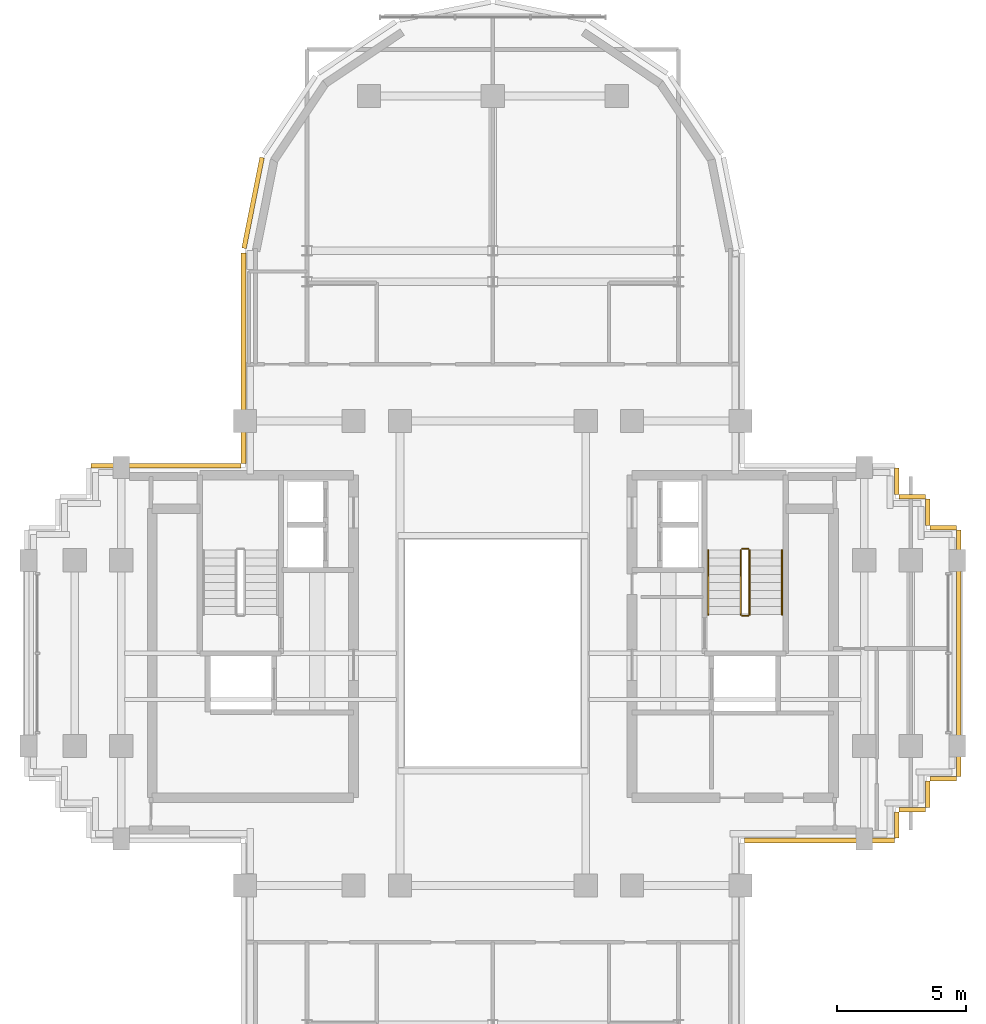
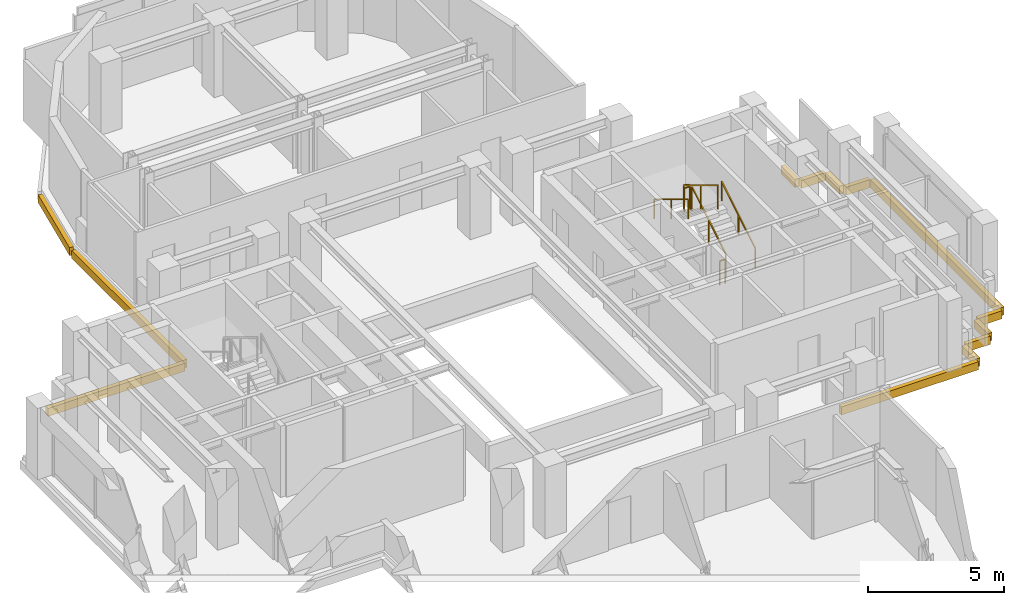
# One storey, part 10 of 11: 13 coverings, 6 railings.
"""IFC4 building model written with IfcOpenShell, lengths in metres."""

import ifcopenshell
import ifcopenshell.guid

model = None  # the IFC model being written
_history = None  # IfcOwnerHistory: only IFC2X3 demands one
_inside = {}  # id of a spatial element -> (the spatial element, [elements in it])
_under = {}  # id of a project, library or spatial element -> (it, [spatial elements below it])
_declared = {}  # id of a project -> (the project, [libraries it declares])
_typed = {}  # id of a type object -> (the type object, [elements of that type])
_made_of = {}  # id of a material, layer set ... -> (it, [elements and type objects made of it])


def new_model(schema):
    """Start an empty IFC model of exactly this schema.

    Asked for "IFC4X3", IfcOpenShell would pick the latest addendum, in which some entities
    have other attributes; the version numbers below select the first issue.
    IFC2X3 requires an IfcOwnerHistory on every rooted entity: one is made here for all.
    """
    global model, _history
    if schema == "IFC4X3":
        model = ifcopenshell.file(schema_version=(4, 3, 0, 0))
    else:
        model = ifcopenshell.file(schema=schema)
    _inside.clear()
    _under.clear()
    _declared.clear()
    _typed.clear()
    _made_of.clear()
    _history = None
    if model.schema == "IFC2X3":
        org = make("IfcOrganization", Name="unknown")
        user = make(
            "IfcPersonAndOrganization",
            ThePerson=make("IfcPerson", FamilyName="unknown"),
            TheOrganization=org,
        )
        app = make(
            "IfcApplication",
            ApplicationDeveloper=org,
            Version="unknown",
            ApplicationFullName="unknown",
            ApplicationIdentifier="unknown",
        )
        _history = make(
            "IfcOwnerHistory",
            OwningUser=user,
            OwningApplication=app,
            ChangeAction="ADDED",
            CreationDate=0,
        )
    return model


def make(cls, **values):
    """One entity of the class cls with the attributes given. An attribute that is None is left unset."""
    return model.create_entity(
        cls, **{name: value for name, value in values.items() if value is not None}
    )


def rooted(cls, **values):
    """An entity with a GlobalId (a new one), such as an element, a storey or a relation."""
    return make(cls, GlobalId=ifcopenshell.guid.new(), OwnerHistory=_history, **values)


def si_unit(unit_type, name, prefix=None):
    """IfcSIUnit, for example si_unit("LENGTHUNIT", "METRE", prefix="MILLI")."""
    return make("IfcSIUnit", UnitType=unit_type, Prefix=prefix, Name=name)


def assignment(units):
    """IfcUnitAssignment: the units of a project."""
    return None if units is None else make("IfcUnitAssignment", Units=units)


def point(xyz):
    """IfcCartesianPoint."""
    return None if xyz is None else make("IfcCartesianPoint", Coordinates=xyz)


def direction(xyz):
    """IfcDirection."""
    return None if xyz is None else make("IfcDirection", DirectionRatios=xyz)


def frame(location, z_axis=None, x_axis=None):
    """IfcAxis2Placement3D, a coordinate frame: its origin and axes. An axis left out is left unset."""
    return make(
        "IfcAxis2Placement3D",
        Location=point(location),
        Axis=direction(z_axis),
        RefDirection=direction(x_axis),
    )


def frame_2d(location, x_axis=None):
    """IfcAxis2Placement2D, a coordinate frame in the plane: its origin and x axis."""
    return make(
        "IfcAxis2Placement2D", Location=point(location), RefDirection=direction(x_axis)
    )


def origin():
    """The frame at (0, 0, 0) with its axes left unset."""
    return frame((0.0, 0.0, 0.0))


def origin_2d():
    """The frame at (0, 0) in the plane with its x axis left unset."""
    return frame_2d((0.0, 0.0))


def place(relative_to, where):
    """IfcLocalPlacement: puts the frame where relative to a parent placement (None: the world)."""
    return make(
        "IfcLocalPlacement", PlacementRelTo=relative_to, RelativePlacement=where
    )


def context(
    kind, dimensions, precision=None, world=None, true_north=None, identifier=None
):
    """IfcGeometricRepresentationContext, for example the 3D "Model" context."""
    return make(
        "IfcGeometricRepresentationContext",
        ContextIdentifier=identifier,
        ContextType=kind,
        CoordinateSpaceDimension=dimensions,
        Precision=precision,
        WorldCoordinateSystem=world,
        TrueNorth=true_north,
    )


def subcontext(parent, identifier, kind, view, scale=None):
    """IfcGeometricRepresentationSubContext, for example "Body" below "Model"."""
    return make(
        "IfcGeometricRepresentationSubContext",
        ContextIdentifier=identifier,
        ContextType=kind,
        ParentContext=parent,
        TargetScale=scale,
        TargetView=view,
    )


def project(units=None, contexts=None):
    """IfcProject with its units and contexts."""
    return rooted(
        "IfcProject",
        Name="project",
        RepresentationContexts=contexts,
        UnitsInContext=assignment(units),
    )


def spatial(cls, under=None, at=None, **own):
    """A site, building, storey or space (cls), placed at a placement, below another one or the project."""
    s = rooted(cls, ObjectPlacement=at, **own)
    if under is not None:
        _under.setdefault(under.id(), (under, []))[1].append(s)
    return s


def profile(cls, at=None, kind="AREA", **sizes):
    """A parametric profile (cls). Its sizes go by their IFC names, for example OverallWidth=200.0."""
    return make(cls, ProfileType=kind, Position=at, **sizes)


def rectangle(**sizes):
    """IfcRectangleProfileDef."""
    return profile("IfcRectangleProfileDef", **sizes)


def extrude(swept, where, along, depth):
    """IfcExtrudedAreaSolid: the profile swept, set in the frame where, extruded along a direction by depth."""
    return make(
        "IfcExtrudedAreaSolid",
        SweptArea=swept,
        Position=where,
        ExtrudedDirection=direction(along),
        Depth=depth,
    )


def shape(context_of_items, identifier, shape_type, items):
    """IfcShapeRepresentation: the items that make up one representation, for example the "Body"."""
    return make(
        "IfcShapeRepresentation",
        ContextOfItems=context_of_items,
        RepresentationIdentifier=identifier,
        RepresentationType=shape_type,
        Items=items,
    )


def source(mapping_origin, context_of_items, identifier, shape_type, items):
    """IfcRepresentationMap: a shape defined once, which mapped items show again and again."""
    return make(
        "IfcRepresentationMap",
        MappingOrigin=mapping_origin,
        MappedRepresentation=shape(context_of_items, identifier, shape_type, items),
    )


def transform(
    local_origin,
    x_axis=None,
    y_axis=None,
    z_axis=None,
    scale=None,
    scale2=None,
    scale3=None,
    uniform=True,
):
    """IfcCartesianTransformationOperator3D, or its non-uniform kind. x_axis, y_axis, z_axis: its Axis1, 2, 3."""
    if uniform:
        return make(
            "IfcCartesianTransformationOperator3D",
            Axis1=direction(x_axis),
            Axis2=direction(y_axis),
            LocalOrigin=point(local_origin),
            Scale=scale,
            Axis3=direction(z_axis),
        )
    return make(
        "IfcCartesianTransformationOperator3DnonUniform",
        Axis1=direction(x_axis),
        Axis2=direction(y_axis),
        LocalOrigin=point(local_origin),
        Scale=scale,
        Axis3=direction(z_axis),
        Scale2=scale2,
        Scale3=scale3,
    )


def mapped(mapping_source, mapping_target):
    """IfcMappedItem: shows the shape of a source again, moved by a transform."""
    return make(
        "IfcMappedItem", MappingSource=mapping_source, MappingTarget=mapping_target
    )


def material(Name=None, Category=None):
    """IfcMaterial."""
    return make("IfcMaterial", Name=Name, Category=Category)


def layer(
    of_material, thickness, ventilated=None, Name=None, Category=None, Priority=None
):
    """IfcMaterialLayer: one layer of a wall or slab, of a material (None: an air gap)."""
    return make(
        "IfcMaterialLayer",
        Material=of_material,
        LayerThickness=thickness,
        IsVentilated=ventilated,
        Name=Name,
        Category=Category,
        Priority=Priority,
    )


def layer_set(layers, Name=None):
    """IfcMaterialLayerSet."""
    return make("IfcMaterialLayerSet", MaterialLayers=layers, LayerSetName=Name)


def made_of(thing, what):
    """Note that an element or type object is made of a material, layer set ...; save() writes the relation."""
    if what is not None:
        _made_of.setdefault(what.id(), (what, []))[1].append(thing)
    return thing


def type_object(cls, material=None, **own):
    """A type object (cls), such as IfcWallType, which elements share."""
    return made_of(rooted(cls, **own), material)


def element(
    cls,
    number,
    at=None,
    inside=None,
    cuts=None,
    type_object=None,
    material=None,
    context=None,
    identifier="Body",
    shape_type=None,
    held_by="IfcProductDefinitionShape",
    body=None,
    shapes=None,
    **own,
):
    """One element of the class cls, such as IfcWall. Its Tag is "e" and its number.

    at: its placement. inside: the storey or other place that contains it. cuts: it is an
    opening in that element (IfcRelVoidsElement). A single representation is given by context,
    identifier, shape_type and body (its items); several are given by shapes. held_by: the class
    of the entity that holds the representations. save() writes the other relations.
    """
    e = rooted(cls, Tag="e%d" % number, ObjectPlacement=at, **own)
    if body is not None:
        shapes = [shape(context, identifier, shape_type, body)]
    if shapes is not None:
        e.Representation = make(held_by, Representations=shapes)
    if inside is not None:
        _inside.setdefault(inside.id(), (inside, []))[1].append(e)
    if cuts is not None:
        rooted(
            "IfcRelVoidsElement", RelatingBuildingElement=cuts, RelatedOpeningElement=e
        )
    if type_object is not None:
        _typed.setdefault(type_object.id(), (type_object, []))[1].append(e)
    return made_of(e, material)


def aggregate(whole, parts):
    """IfcRelAggregates: a whole, such as a stair, and the parts it consists of."""
    return rooted("IfcRelAggregates", RelatingObject=whole, RelatedObjects=parts)


def save(model, path):
    """Write the relations noted so far, then the file.

    IfcRelAggregates (storeys below a building ...), IfcRelContainedInSpatialStructure (elements
    in a storey), IfcRelDefinesByType, IfcRelAssociatesMaterial and IfcRelDeclares: one each for
    every whole, place, type object, material and project.
    """
    for whole, parts in _under.values():
        aggregate(whole, parts)
    for where, things in _inside.values():
        rooted(
            "IfcRelContainedInSpatialStructure",
            RelatedElements=things,
            RelatingStructure=where,
        )
    for kind, things in _typed.values():
        rooted("IfcRelDefinesByType", RelatedObjects=things, RelatingType=kind)
    for what, things in _made_of.values():
        rooted("IfcRelAssociatesMaterial", RelatedObjects=things, RelatingMaterial=what)
    for by, libraries in _declared.values():
        rooted("IfcRelDeclares", RelatingContext=by, RelatedDefinitions=libraries)
    model.write(path)


model = new_model("IFC4")

# Units and contexts
model_context = context("Model", 3, precision=1e-05, world=origin(), true_north=direction((0.0, 1.0)))
body_context = subcontext(model_context, "Body", "Model", "MODEL_VIEW")
ifc_project = project(units=[si_unit("LENGTHUNIT", "METRE"), si_unit("AREAUNIT", "SQUARE_METRE"), si_unit("VOLUMEUNIT", "CUBIC_METRE"), si_unit("PLANEANGLEUNIT", "RADIAN"), si_unit("MASSUNIT", "GRAM", prefix="KILO")], contexts=[model_context])

# Site, building, storey
site_placement = place(None, origin())
site = spatial("IfcSite", under=ifc_project, at=site_placement, CompositionType="ELEMENT")
building_placement = place(site_placement, origin())
building = spatial("IfcBuilding", under=site, at=building_placement, Name="Keilestroom Media Tower", CompositionType="ELEMENT")
storey_placement = place(building_placement, frame((0.0, 0.0, 201.199951171875)))
storey = spatial("IfcBuildingStorey", under=building, at=storey_placement, Name="L55", CompositionType="ELEMENT", Elevation=201.199951171875)

# Railings
ifc_material_1 = material(Name="Brushed Stainless Steel 1.4301", Category="steel")
railing_type_1 = type_object("IfcRailingType", Name="Stair-Pitch-Handrail-920", PredefinedType="HANDRAIL", material=ifc_material_1)
railing_1_placement = place(storey_placement, frame((11.2099609375, 1.5, 0.18896484375)))
element("IfcRailing", 1, at=railing_1_placement, inside=storey, type_object=railing_type_1, Name="L55 ST-2 stair handrail 1", PredefinedType="HANDRAIL", context=body_context, shape_type="SweptSolid", body=[
    extrude(rectangle(XDim=0.048095703125, YDim=0.048095703125, at=origin_2d()), frame((0.0, 0.0, 0.8759765625), z_axis=(0.0, 0.855470815493, 0.517851024754), x_axis=(-1.0, 0.0, 0.0)), (0.0, 0.0, 1.0), 2.917724609375),
    extrude(rectangle(XDim=0.0419921875, YDim=0.0419921875, at=origin_2d()), origin(), (0.0, 0.0, 1.0), 0.84375),
    extrude(rectangle(XDim=0.0419921875, YDim=0.0419921875, at=origin_2d()), frame((0.0, 1.248046875, 0.75537109375)), (0.0, 0.0, 1.0), 0.84375),
    extrude(rectangle(XDim=0.0419921875, YDim=0.0419921875, at=origin_2d()), frame((0.0, 2.49609375, 1.510986328125)), (0.0, 0.0, 1.0), 0.84375),
])
railing_2_placement = place(storey_placement, frame((8.35009765625, 3.99609375, 1.888916015625)))
element("IfcRailing", 2, at=railing_2_placement, inside=storey, type_object=railing_type_1, Name="L55 ST-2 stair handrail 2", PredefinedType="HANDRAIL", context=body_context, shape_type="SweptSolid", body=[
    extrude(rectangle(XDim=0.048095703125, YDim=0.048095703125, at=origin_2d()), frame((0.0, 0.0, 0.8759765625), z_axis=(0.0, -0.855433747314, 0.517912255074), x_axis=(1.0, 0.0, 0.0)), (0.0, 0.0, 1.0), 2.91796875),
    extrude(rectangle(XDim=0.0419921875, YDim=0.0419921875, at=origin_2d()), origin(), (0.0, 0.0, 1.0), 0.84375),
    extrude(rectangle(XDim=0.0419921875, YDim=0.0419921875, at=origin_2d()), frame((0.0, -1.248046875, 0.755615234375)), (0.0, 0.0, 1.0), 0.84375),
    extrude(rectangle(XDim=0.0419921875, YDim=0.0419921875, at=origin_2d()), frame((0.0, -2.49609375, 1.51123046875)), (0.0, 0.0, 1.0), 0.84375),
])
ifc_material_2 = material(Name="Painted Steel Balustrade", Category="steel")
railing_type_2 = type_object("IfcRailingType", Name="Stair-Well-And-Landing-Guard-1100", PredefinedType="GUARDRAIL", material=ifc_material_2)
railing_3_placement = place(storey_placement, frame((9.949951171875, 1.5, 0.18896484375)))
element("IfcRailing", 3, at=railing_3_placement, inside=storey, type_object=railing_type_2, Name="L55 ST-2 stair guard 1", PredefinedType="GUARDRAIL", context=body_context, shape_type="SweptSolid", body=[
    extrude(rectangle(XDim=0.048095703125, YDim=0.048095703125, at=origin_2d()), frame((0.0, 0.0, 1.076171875), z_axis=(0.0, 0.855470815493, 0.517851024754), x_axis=(-1.0, 0.0, 0.0)), (0.0, 0.0, 1.0), 2.917724609375),
    extrude(rectangle(XDim=0.0419921875, YDim=0.0419921875, at=origin_2d()), origin(), (0.0, 0.0, 1.0), 1.0439453125),
    extrude(rectangle(XDim=0.0419921875, YDim=0.0419921875, at=origin_2d()), frame((0.0, 1.248046875, 0.75537109375)), (0.0, 0.0, 1.0), 1.0439453125),
    extrude(rectangle(XDim=0.0419921875, YDim=0.0419921875, at=origin_2d()), frame((0.0, 2.49609375, 1.510986328125)), (0.0, 0.0, 1.0), 1.0439453125),
])
railing_4_placement = place(storey_placement, frame((9.89990234375, 4.0458984375, 1.699951171875)))
element("IfcRailing", 4, at=railing_4_placement, inside=storey, type_object=railing_type_2, Name="L55 ST-2 stair guard 2", PredefinedType="GUARDRAIL", context=body_context, shape_type="SweptSolid", body=[
    extrude(rectangle(XDim=0.048095703125, YDim=0.048095703125, at=origin_2d()), frame((0.0, 0.0, 1.076171875), z_axis=(-1.0, 0.0, 0.0), x_axis=(0.0, -1.0, 0.0)), (0.0, 0.0, 1.0), 0.239990234375),
    extrude(rectangle(XDim=0.0419921875, YDim=0.0419921875, at=origin_2d()), origin(), (0.0, 0.0, 1.0), 1.0439453125),
    extrude(rectangle(XDim=0.0419921875, YDim=0.0419921875, at=origin_2d()), frame((-0.239990234375, 0.0, 0.0)), (0.0, 0.0, 1.0), 1.0439453125),
])
railing_5_placement = place(storey_placement, frame((9.610107421875, 3.99609375, 1.888916015625)))
element("IfcRailing", 5, at=railing_5_placement, inside=storey, type_object=railing_type_2, Name="L55 ST-2 stair guard 3", PredefinedType="GUARDRAIL", context=body_context, shape_type="SweptSolid", body=[
    extrude(rectangle(XDim=0.048095703125, YDim=0.048095703125, at=origin_2d()), frame((0.0, 0.0, 1.076171875), z_axis=(0.0, -0.855433747314, 0.517912255074), x_axis=(1.0, 0.0, 0.0)), (0.0, 0.0, 1.0), 2.91796875),
    extrude(rectangle(XDim=0.0419921875, YDim=0.0419921875, at=origin_2d()), origin(), (0.0, 0.0, 1.0), 1.0439453125),
    extrude(rectangle(XDim=0.0419921875, YDim=0.0419921875, at=origin_2d()), frame((0.0, -1.248046875, 0.755615234375)), (0.0, 0.0, 1.0), 1.0439453125),
    extrude(rectangle(XDim=0.0419921875, YDim=0.0419921875, at=origin_2d()), frame((0.0, -2.49609375, 1.51123046875)), (0.0, 0.0, 1.0), 1.0439453125),
])
railing_6_placement = place(storey_placement, frame((9.89990234375, 1.449951171875, 0.0)))
element("IfcRailing", 6, at=railing_6_placement, inside=storey, type_object=railing_type_2, Name="L55 ST-2 stair guard 4", PredefinedType="GUARDRAIL", context=body_context, shape_type="SweptSolid", body=[
    extrude(rectangle(XDim=0.048095703125, YDim=0.048095703125, at=origin_2d()), frame((0.0, 0.0, 1.076171875), z_axis=(-1.0, 0.0, 0.0), x_axis=(0.0, -1.0, 0.0)), (0.0, 0.0, 1.0), 0.239990234375),
    extrude(rectangle(XDim=0.0419921875, YDim=0.0419921875, at=origin_2d()), origin(), (0.0, 0.0, 1.0), 1.0439453125),
    extrude(rectangle(XDim=0.0419921875, YDim=0.0419921875, at=origin_2d()), frame((-0.239990234375, 0.0, 0.0)), (0.0, 0.0, 1.0), 1.0439453125),
])

# Coverings
ifc_material_3 = material(Name="Precast concrete C40/50", Category="concrete")
ifc_layer = layer(ifc_material_3, 0.1201171875)
ifc_layer_set = layer_set([ifc_layer], Name="Precast concrete C40/50")
covering_type = type_object("IfcCoveringType", Name="Exterior-Precast-Spandrel-Cladding-Panel-120", PredefinedType="CLADDING", material=ifc_layer_set)
shared_shape_1 = source(origin(), body_context, "Body", "SweptSolid", [
    extrude(rectangle(XDim=1.02001953125, YDim=0.179931640625, at=origin_2d()), origin(), (0.0, 0.0, 1.0), 0.360107421875),
])
for number, where, z_axis, x_axis, name in (
    (7, (17.4599609375, -4.860107421875, -0.5400390625), (0.0, 0.0, 1.0), (-1.0, 0.0, 0.0), "L55 Precast Slab-Edge Fascia Cornice 01"),
    (8, (16.860107421875, -5.4599609375, -0.5400390625), (0.0, 0.0, 1.0), (0.0, -1.0, 0.0), "L55 Precast Slab-Edge Fascia Cornice 02"),
    (9, (16.260009765625, -6.06005859375, -0.5400390625), (0.0, 0.0, 1.0), (-1.0, 0.0, 0.0), "L55 Precast Slab-Edge Fascia Cornice 03"),
    (10, (15.659912109375, -6.659912109375, -0.5400390625), (0.0, 0.0, 1.0), (0.0, -1.0, 0.0), "L55 Precast Slab-Edge Fascia Cornice 04"),
    (11, (15.659912109375, 6.659912109375, -0.5400390625), (0.0, 0.0, 1.0), (0.0, -1.0, 0.0), "L55 Precast Slab-Edge Fascia Cornice 38"),
    (12, (16.260009765625, 6.06005859375, -0.5400390625), (0.0, 0.0, 1.0), (1.0, 0.0, 0.0), "L55 Precast Slab-Edge Fascia Cornice 39"),
    (13, (16.860107421875, 5.4599609375, -0.5400390625), (0.0, 0.0, 1.0), (0.0, -1.0, 0.0), "L55 Precast Slab-Edge Fascia Cornice 40"),
    (14, (17.4599609375, 4.860107421875, -0.5400390625), (0.0, 0.0, 1.0), (1.0, 0.0, 0.0), "L55 Precast Slab-Edge Fascia Cornice 41"),
):
    element("IfcCovering", number, at=place(storey_placement, frame(where, z_axis=z_axis, x_axis=x_axis)), inside=storey, type_object=covering_type, Name=name, PredefinedType="CLADDING", context=body_context, shape_type="MappedRepresentation", body=[
        mapped(shared_shape_1, transform((0.0, 0.0, 0.0), x_axis=(1.0, 0.0, 0.0), y_axis=(0.0, 1.0, 0.0), z_axis=(0.0, 0.0, 1.0), scale=1.0)),
    ])
shared_shape_2 = source(origin(), body_context, "Body", "SweptSolid", [
    extrude(rectangle(XDim=8.166015625, YDim=0.179931640625, at=origin_2d()), origin(), (0.0, 0.0, 1.0), 0.360107421875),
])
covering_1_placement = place(storey_placement, frame((-9.659912109375, 11.43310546875, -0.5400390625), z_axis=(0.0, 0.0, 1.0), x_axis=(0.0, 1.0, 0.0)))
element("IfcCovering", 15, at=covering_1_placement, inside=storey, type_object=covering_type, Name="L55 Precast Slab-Edge Fascia Cornice 27", PredefinedType="CLADDING", context=body_context, shape_type="MappedRepresentation", body=[
    mapped(shared_shape_2, transform((0.0, 0.0, 0.0), x_axis=(1.0, 0.0, 0.0), y_axis=(0.0, 1.0, 0.0), z_axis=(0.0, 0.0, 1.0), scale=1.0)),
])
shared_shape_3 = source(origin(), body_context, "Body", "SweptSolid", [
    extrude(rectangle(XDim=3.58349609375, YDim=0.179931640625, at=origin_2d()), origin(), (0.0, 0.0, 1.0), 0.360107421875),
])
covering_2_placement = place(storey_placement, frame((-9.29296875, 17.45166015625, -0.5400390625), z_axis=(0.0, 0.0, 1.0), x_axis=(0.195098880975, 0.980783577882, 0.0)))
element("IfcCovering", 16, at=covering_2_placement, inside=storey, type_object=covering_type, Name="L55 Precast Slab-Edge Fascia Cornice 28", PredefinedType="CLADDING", context=body_context, shape_type="MappedRepresentation", body=[
    mapped(shared_shape_3, transform((0.0, 0.0, 0.0), x_axis=(1.0, 0.0, 0.0), y_axis=(0.0, 1.0, 0.0), z_axis=(0.0, 0.0, 1.0), scale=1.0)),
])
shared_shape_4 = source(origin(), body_context, "Body", "SweptSolid", [
    extrude(rectangle(XDim=9.5400390625, YDim=0.179931640625, at=origin_2d()), origin(), (0.0, 0.0, 1.0), 0.360107421875),
])
covering_3_placement = place(storey_placement, frame((18.06005859375, 0.0, -0.5400390625), z_axis=(0.0, 0.0, 1.0), x_axis=(0.0, -1.0, 0.0)))
element("IfcCovering", 17, at=covering_3_placement, inside=storey, type_object=covering_type, Name="L55 Precast Slab-Edge Fascia Cornice 42", PredefinedType="CLADDING", context=body_context, shape_type="MappedRepresentation", body=[
    mapped(shared_shape_4, transform((0.0, 0.0, 0.0), x_axis=(1.0, 0.0, 0.0), y_axis=(0.0, 1.0, 0.0), z_axis=(0.0, 0.0, 1.0), scale=1.0)),
])
shared_shape_5 = source(origin(), body_context, "Body", "SweptSolid", [
    extrude(rectangle(XDim=5.820068359375, YDim=0.179931640625, at=origin_2d()), origin(), (0.0, 0.0, 1.0), 0.360107421875),
])
for number, where, z_axis, x_axis, name in (
    (18, (12.659912109375, -7.260009765625, -0.5400390625), (0.0, 0.0, 1.0), (-1.0, 0.0, 0.0), "L55 Precast Slab-Edge Fascia Cornice 05"),
    (19, (-12.659912109375, 7.260009765625, -0.5400390625), (0.0, 0.0, 1.0), (1.0, 0.0, 0.0), "L55 Precast Slab-Edge Fascia Cornice 26"),
):
    element("IfcCovering", number, at=place(storey_placement, frame(where, z_axis=z_axis, x_axis=x_axis)), inside=storey, type_object=covering_type, Name=name, PredefinedType="CLADDING", context=body_context, shape_type="MappedRepresentation", body=[
        mapped(shared_shape_5, transform((0.0, 0.0, 0.0), x_axis=(1.0, 0.0, 0.0), y_axis=(0.0, 1.0, 0.0), z_axis=(0.0, 0.0, 1.0), scale=1.0)),
    ])

save(model, "model.ifc")
